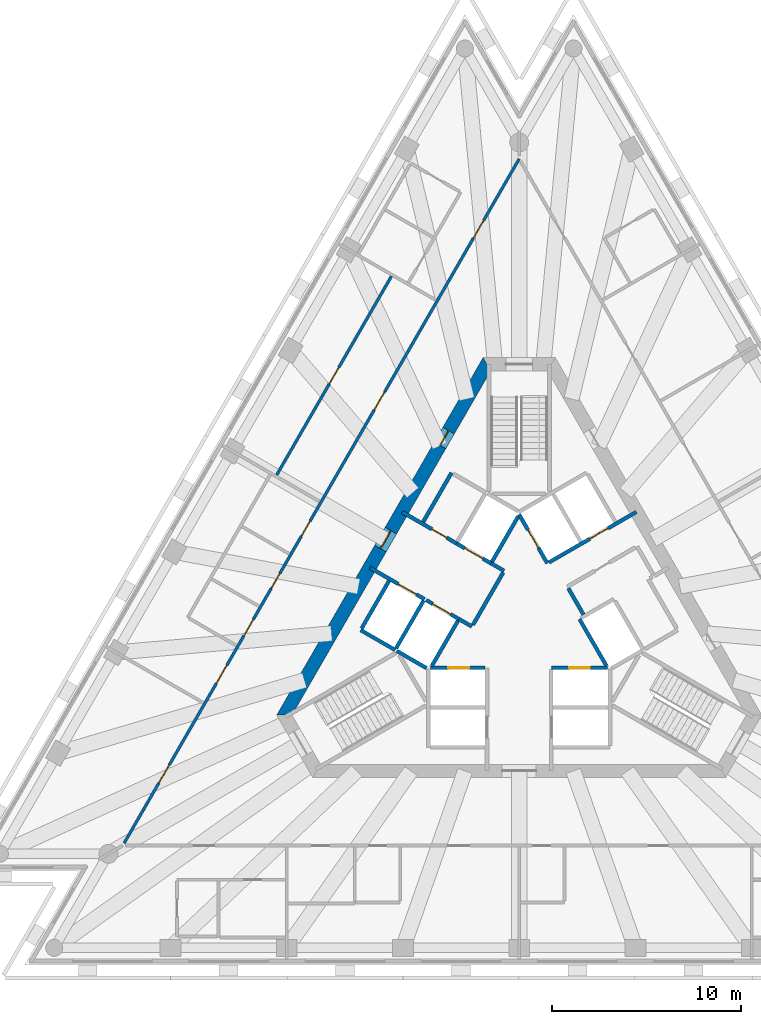
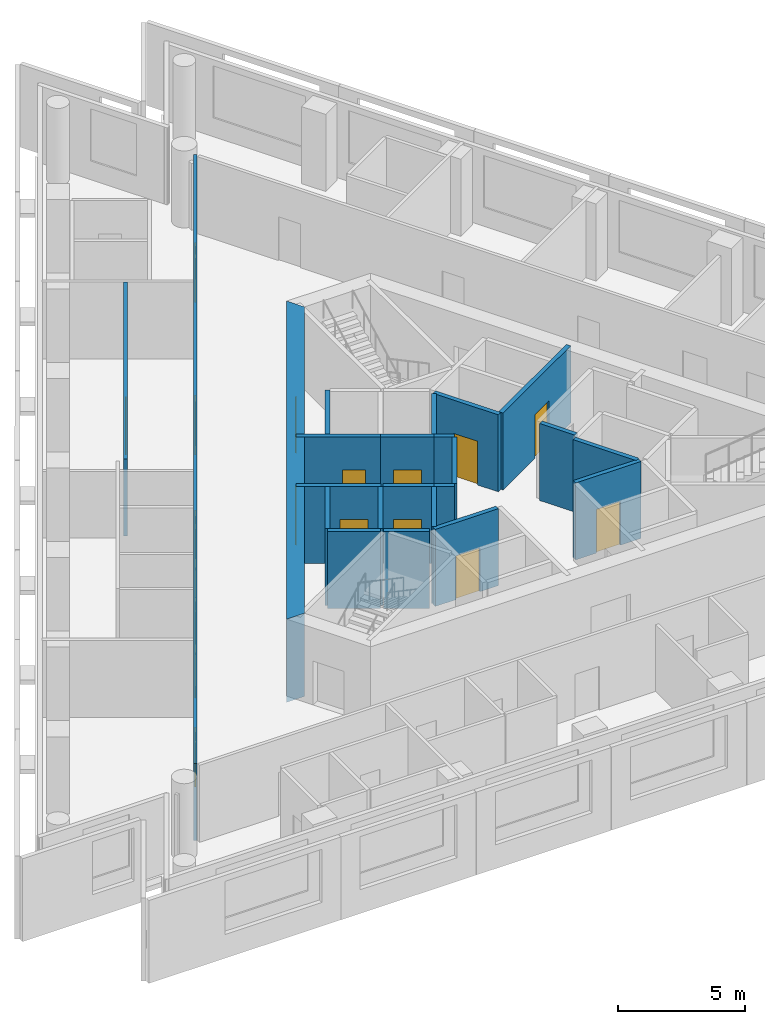
# One storey, part 4 of 9: 23 walls, 18 doors, 18 openings.
"""IFC4 building model written with IfcOpenShell, lengths in metres."""

import ifcopenshell
import ifcopenshell.guid

model = None  # the IFC model being written
_history = None  # IfcOwnerHistory: only IFC2X3 demands one
_inside = {}  # id of a spatial element -> (the spatial element, [elements in it])
_under = {}  # id of a project, library or spatial element -> (it, [spatial elements below it])
_declared = {}  # id of a project -> (the project, [libraries it declares])
_typed = {}  # id of a type object -> (the type object, [elements of that type])
_made_of = {}  # id of a material, layer set ... -> (it, [elements and type objects made of it])


def new_model(schema):
    """Start an empty IFC model of exactly this schema.

    Asked for "IFC4X3", IfcOpenShell would pick the latest addendum, in which some entities
    have other attributes; the version numbers below select the first issue.
    IFC2X3 requires an IfcOwnerHistory on every rooted entity: one is made here for all.
    """
    global model, _history
    if schema == "IFC4X3":
        model = ifcopenshell.file(schema_version=(4, 3, 0, 0))
    else:
        model = ifcopenshell.file(schema=schema)
    _inside.clear()
    _under.clear()
    _declared.clear()
    _typed.clear()
    _made_of.clear()
    _history = None
    if model.schema == "IFC2X3":
        org = make("IfcOrganization", Name="unknown")
        user = make(
            "IfcPersonAndOrganization",
            ThePerson=make("IfcPerson", FamilyName="unknown"),
            TheOrganization=org,
        )
        app = make(
            "IfcApplication",
            ApplicationDeveloper=org,
            Version="unknown",
            ApplicationFullName="unknown",
            ApplicationIdentifier="unknown",
        )
        _history = make(
            "IfcOwnerHistory",
            OwningUser=user,
            OwningApplication=app,
            ChangeAction="ADDED",
            CreationDate=0,
        )
    return model


def make(cls, **values):
    """One entity of the class cls with the attributes given. An attribute that is None is left unset."""
    return model.create_entity(
        cls, **{name: value for name, value in values.items() if value is not None}
    )


def rooted(cls, **values):
    """An entity with a GlobalId (a new one), such as an element, a storey or a relation."""
    return make(cls, GlobalId=ifcopenshell.guid.new(), OwnerHistory=_history, **values)


def si_unit(unit_type, name, prefix=None):
    """IfcSIUnit, for example si_unit("LENGTHUNIT", "METRE", prefix="MILLI")."""
    return make("IfcSIUnit", UnitType=unit_type, Prefix=prefix, Name=name)


def assignment(units):
    """IfcUnitAssignment: the units of a project."""
    return None if units is None else make("IfcUnitAssignment", Units=units)


def point(xyz):
    """IfcCartesianPoint."""
    return None if xyz is None else make("IfcCartesianPoint", Coordinates=xyz)


def direction(xyz):
    """IfcDirection."""
    return None if xyz is None else make("IfcDirection", DirectionRatios=xyz)


def frame(location, z_axis=None, x_axis=None):
    """IfcAxis2Placement3D, a coordinate frame: its origin and axes. An axis left out is left unset."""
    return make(
        "IfcAxis2Placement3D",
        Location=point(location),
        Axis=direction(z_axis),
        RefDirection=direction(x_axis),
    )


def frame_2d(location, x_axis=None):
    """IfcAxis2Placement2D, a coordinate frame in the plane: its origin and x axis."""
    return make(
        "IfcAxis2Placement2D", Location=point(location), RefDirection=direction(x_axis)
    )


def origin():
    """The frame at (0, 0, 0) with its axes left unset."""
    return frame((0.0, 0.0, 0.0))


def place(relative_to, where):
    """IfcLocalPlacement: puts the frame where relative to a parent placement (None: the world)."""
    return make(
        "IfcLocalPlacement", PlacementRelTo=relative_to, RelativePlacement=where
    )


def context(
    kind, dimensions, precision=None, world=None, true_north=None, identifier=None
):
    """IfcGeometricRepresentationContext, for example the 3D "Model" context."""
    return make(
        "IfcGeometricRepresentationContext",
        ContextIdentifier=identifier,
        ContextType=kind,
        CoordinateSpaceDimension=dimensions,
        Precision=precision,
        WorldCoordinateSystem=world,
        TrueNorth=true_north,
    )


def subcontext(parent, identifier, kind, view, scale=None):
    """IfcGeometricRepresentationSubContext, for example "Body" below "Model"."""
    return make(
        "IfcGeometricRepresentationSubContext",
        ContextIdentifier=identifier,
        ContextType=kind,
        ParentContext=parent,
        TargetScale=scale,
        TargetView=view,
    )


def project(units=None, contexts=None):
    """IfcProject with its units and contexts."""
    return rooted(
        "IfcProject",
        Name="project",
        RepresentationContexts=contexts,
        UnitsInContext=assignment(units),
    )


def spatial(cls, under=None, at=None, **own):
    """A site, building, storey or space (cls), placed at a placement, below another one or the project."""
    s = rooted(cls, ObjectPlacement=at, **own)
    if under is not None:
        _under.setdefault(under.id(), (under, []))[1].append(s)
    return s


def polyline(points):
    """IfcPolyline through the points."""
    return make("IfcPolyline", Points=[point(p) for p in points])


def profile(cls, at=None, kind="AREA", **sizes):
    """A parametric profile (cls). Its sizes go by their IFC names, for example OverallWidth=200.0."""
    return make(cls, ProfileType=kind, Position=at, **sizes)


def rectangle(**sizes):
    """IfcRectangleProfileDef."""
    return profile("IfcRectangleProfileDef", **sizes)


def outline(outer, holes=None, kind="AREA"):
    """IfcArbitraryClosedProfileDef: a profile drawn as a closed curve; with holes, ...WithVoids."""
    if holes is None:
        return make("IfcArbitraryClosedProfileDef", ProfileType=kind, OuterCurve=outer)
    return make(
        "IfcArbitraryProfileDefWithVoids",
        ProfileType=kind,
        OuterCurve=outer,
        InnerCurves=holes,
    )


def extrude(swept, where, along, depth):
    """IfcExtrudedAreaSolid: the profile swept, set in the frame where, extruded along a direction by depth."""
    return make(
        "IfcExtrudedAreaSolid",
        SweptArea=swept,
        Position=where,
        ExtrudedDirection=direction(along),
        Depth=depth,
    )


def shape(context_of_items, identifier, shape_type, items):
    """IfcShapeRepresentation: the items that make up one representation, for example the "Body"."""
    return make(
        "IfcShapeRepresentation",
        ContextOfItems=context_of_items,
        RepresentationIdentifier=identifier,
        RepresentationType=shape_type,
        Items=items,
    )


def material(Name=None, Category=None):
    """IfcMaterial."""
    return make("IfcMaterial", Name=Name, Category=Category)


def layer(
    of_material, thickness, ventilated=None, Name=None, Category=None, Priority=None
):
    """IfcMaterialLayer: one layer of a wall or slab, of a material (None: an air gap)."""
    return make(
        "IfcMaterialLayer",
        Material=of_material,
        LayerThickness=thickness,
        IsVentilated=ventilated,
        Name=Name,
        Category=Category,
        Priority=Priority,
    )


def layer_set(layers, Name=None):
    """IfcMaterialLayerSet."""
    return make("IfcMaterialLayerSet", MaterialLayers=layers, LayerSetName=Name)


def made_of(thing, what):
    """Note that an element or type object is made of a material, layer set ...; save() writes the relation."""
    if what is not None:
        _made_of.setdefault(what.id(), (what, []))[1].append(thing)
    return thing


def type_object(cls, material=None, **own):
    """A type object (cls), such as IfcWallType, which elements share."""
    return made_of(rooted(cls, **own), material)


def element(
    cls,
    number,
    at=None,
    inside=None,
    cuts=None,
    type_object=None,
    material=None,
    context=None,
    identifier="Body",
    shape_type=None,
    held_by="IfcProductDefinitionShape",
    body=None,
    shapes=None,
    **own,
):
    """One element of the class cls, such as IfcWall. Its Tag is "e" and its number.

    at: its placement. inside: the storey or other place that contains it. cuts: it is an
    opening in that element (IfcRelVoidsElement). A single representation is given by context,
    identifier, shape_type and body (its items); several are given by shapes. held_by: the class
    of the entity that holds the representations. save() writes the other relations.
    """
    e = rooted(cls, Tag="e%d" % number, ObjectPlacement=at, **own)
    if body is not None:
        shapes = [shape(context, identifier, shape_type, body)]
    if shapes is not None:
        e.Representation = make(held_by, Representations=shapes)
    if inside is not None:
        _inside.setdefault(inside.id(), (inside, []))[1].append(e)
    if cuts is not None:
        rooted(
            "IfcRelVoidsElement", RelatingBuildingElement=cuts, RelatedOpeningElement=e
        )
    if type_object is not None:
        _typed.setdefault(type_object.id(), (type_object, []))[1].append(e)
    return made_of(e, material)


def fill(opening, filler):
    """IfcRelFillsElement: the door or window that sits in an opening."""
    return rooted(
        "IfcRelFillsElement",
        RelatingOpeningElement=opening,
        RelatedBuildingElement=filler,
    )


def aggregate(whole, parts):
    """IfcRelAggregates: a whole, such as a stair, and the parts it consists of."""
    return rooted("IfcRelAggregates", RelatingObject=whole, RelatedObjects=parts)


def save(model, path):
    """Write the relations noted so far, then the file.

    IfcRelAggregates (storeys below a building ...), IfcRelContainedInSpatialStructure (elements
    in a storey), IfcRelDefinesByType, IfcRelAssociatesMaterial and IfcRelDeclares: one each for
    every whole, place, type object, material and project.
    """
    for whole, parts in _under.values():
        aggregate(whole, parts)
    for where, things in _inside.values():
        rooted(
            "IfcRelContainedInSpatialStructure",
            RelatedElements=things,
            RelatingStructure=where,
        )
    for kind, things in _typed.values():
        rooted("IfcRelDefinesByType", RelatedObjects=things, RelatingType=kind)
    for what, things in _made_of.values():
        rooted("IfcRelAssociatesMaterial", RelatedObjects=things, RelatingMaterial=what)
    for by, libraries in _declared.values():
        rooted("IfcRelDeclares", RelatingContext=by, RelatedDefinitions=libraries)
    model.write(path)


model = new_model("IFC4")

# Units and contexts
model_context = context("Model", 3, precision=1e-05, world=origin(), true_north=direction((0.0, 1.0)))
body_context = subcontext(model_context, "Body", "Model", "MODEL_VIEW")
ifc_project = project(units=[si_unit("LENGTHUNIT", "METRE"), si_unit("AREAUNIT", "SQUARE_METRE"), si_unit("VOLUMEUNIT", "CUBIC_METRE"), si_unit("PLANEANGLEUNIT", "RADIAN"), si_unit("MASSUNIT", "GRAM", prefix="KILO")], contexts=[model_context])

# Site, building, storey
site_placement = place(None, origin())
site = spatial("IfcSite", under=ifc_project, at=site_placement, CompositionType="ELEMENT")
building_placement = place(site_placement, origin())
building = spatial("IfcBuilding", under=site, at=building_placement, Name="Triada Interchange Tower", CompositionType="ELEMENT")
storey_placement = place(building_placement, frame((0.0, 0.0, 203.300048828125)))
storey = spatial("IfcBuildingStorey", under=building, at=storey_placement, Name="L47", CompositionType="ELEMENT", Elevation=203.300048828125)

# Walls
ifc_material_1 = material(Name="Concrete C30/37", Category="concrete")
ifc_layer_1 = layer(ifc_material_1, 0.199951171875)
ifc_layer_set_1 = layer_set([ifc_layer_1], Name="CORE WALL 200 EI 120")
wall_type_1 = type_object("IfcWallType", Name="CORE WALL 200 EI 120", PredefinedType="SOLIDWALL", material=ifc_layer_set_1)
wall_1_placement = place(storey_placement, frame((-8.3759765625, -0.70703125, 0.0), z_axis=(0.0, 0.0, 1.0), x_axis=(0.866067520717, -0.499927044236, 0.0)))
element("IfcWall", 1, at=wall_1_placement, inside=storey, type_object=wall_type_1, Name="Wall L47 53", PredefinedType="SOLIDWALL", context=body_context, shape_type="SweptSolid", body=[
    extrude(rectangle(XDim=2.100341796875, YDim=0.199951171875, at=frame_2d((1.05029296875, 0.0))), origin(), (0.0, 0.0, 1.0), 3.699951171875),
])
wall_2_placement = place(storey_placement, frame((-8.325927734375, -0.6201171875, 0.0), z_axis=(0.0, 0.0, 1.0), x_axis=(0.500023687443, 0.866011727401, 0.0)))
element("IfcWall", 2, at=wall_2_placement, inside=storey, type_object=wall_type_1, Name="Wall L47 54", PredefinedType="SOLIDWALL", context=body_context, shape_type="SweptSolid", body=[
    extrude(rectangle(XDim=2.899658203125, YDim=0.199951171875, at=frame_2d((1.44970703125, 0.0))), origin(), (0.0, 0.0, 1.0), 3.699951171875),
])

# Wall, opening, door
wall_3_placement = place(storey_placement, frame((-4.676025390625, -2.699951171875, 0.0), z_axis=(0.0, 0.0, 1.0), x_axis=(1.0, 0.0, 0.0)))
wall_3 = element("IfcWall", 3, at=wall_3_placement, inside=storey, type_object=wall_type_1, Name="Wall L47 61", PredefinedType="SOLIDWALL", context=body_context, shape_type="SweptSolid", body=[
    extrude(rectangle(XDim=2.873046875, YDim=0.199951171875, at=frame_2d((1.4365234375, 0.0))), origin(), (0.0, 0.0, 1.0), 3.699951171875),
])
opening_1_placement = place(wall_3_placement, frame((0.93701171875, 0.0, 0.0)))
opening_1 = element("IfcOpeningElement", 4, at=opening_1_placement, cuts=wall_3, Name="Opening LD-HR3", PredefinedType="OPENING", context=body_context, shape_type="SweptSolid", body=[
    extrude(rectangle(XDim=1.10009765625, YDim=2.10009765625, at=frame_2d((0.550048828125, 1.050048828125))), frame((0.0, 0.10986328125, 0.0), z_axis=(0.0, -1.0, 0.0), x_axis=(1.0, 0.0, 0.0)), (0.0, 0.0, 1.0), 0.219970703125),
])
ifc_material_2 = material(Name="Steel S235 door leaf", Category="steel")
door_type_1 = type_object("IfcDoorType", Name="LIFT LANDING DOOR 1100 EI 120", OperationType="SLIDING_TO_LEFT", PredefinedType="DOOR", material=ifc_material_2)
door_1_placement = place(opening_1_placement, origin())
door_1 = element("IfcDoor", 5, at=door_1_placement, inside=storey, type_object=door_type_1, Name="HR3 landing door L47", OperationType="SLIDING_TO_LEFT", OverallHeight=2.10009765625, OverallWidth=1.10009765625, PredefinedType="DOOR", context=body_context, shape_type="SweptSolid", body=[
    extrude(rectangle(XDim=1.10009765625, YDim=2.10009765625, at=frame_2d((0.550048828125, 1.050048828125))), frame((0.0, 0.02490234375, 0.0), z_axis=(0.0, -1.0, 0.0), x_axis=(1.0, 0.0, 0.0)), (0.0, 0.0, 1.0), 0.050048828125),
])
fill(opening_1, door_1)

wall_4_placement = place(storey_placement, frame((1.702880859375, -2.699951171875, 0.0), z_axis=(0.0, 0.0, 1.0), x_axis=(1.0, 0.0, 0.0)))
wall_4 = element("IfcWall", 6, at=wall_4_placement, inside=storey, type_object=wall_type_1, Name="Wall L47 62", PredefinedType="SOLIDWALL", context=body_context, shape_type="SweptSolid", body=[
    extrude(rectangle(XDim=2.97314453125, YDim=0.199951171875, at=frame_2d((1.486572265625, 0.0))), origin(), (0.0, 0.0, 1.0), 3.699951171875),
])
opening_2_placement = place(wall_4_placement, frame((0.93603515625, 0.0, 0.0)))
opening_2 = element("IfcOpeningElement", 7, at=opening_2_placement, cuts=wall_4, Name="Opening LD-HR1", PredefinedType="OPENING", context=body_context, shape_type="SweptSolid", body=[
    extrude(rectangle(XDim=1.10009765625, YDim=2.10009765625, at=frame_2d((0.550048828125, 1.050048828125))), frame((0.0, 0.10986328125, 0.0), z_axis=(0.0, -1.0, 0.0), x_axis=(1.0, 0.0, 0.0)), (0.0, 0.0, 1.0), 0.219970703125),
])
door_2_placement = place(opening_2_placement, origin())
door_2 = element("IfcDoor", 8, at=door_2_placement, inside=storey, type_object=door_type_1, Name="HR1 landing door L47", OperationType="SLIDING_TO_LEFT", OverallHeight=2.10009765625, OverallWidth=1.10009765625, PredefinedType="DOOR", context=body_context, shape_type="SweptSolid", body=[
    extrude(rectangle(XDim=1.10009765625, YDim=2.10009765625, at=frame_2d((0.550048828125, 1.050048828125))), frame((0.0, 0.02490234375, 0.0), z_axis=(0.0, -1.0, 0.0), x_axis=(1.0, 0.0, 0.0)), (0.0, 0.0, 1.0), 0.050048828125),
])
fill(opening_2, door_2)

wall_5_placement = place(storey_placement, frame((0.0, 5.39990234375, 0.0), z_axis=(0.0, 0.0, 1.0), x_axis=(0.500103862429, -0.865965430478, 0.0)))
wall_5 = element("IfcWall", 9, at=wall_5_placement, inside=storey, type_object=wall_type_1, Name="Wall L47 64", PredefinedType="SOLIDWALL", context=body_context, shape_type="SweptSolid", body=[
    extrude(rectangle(XDim=2.973388671875, YDim=0.199951171875, at=frame_2d((1.48681640625, 0.0))), origin(), (0.0, 0.0, 1.0), 3.699951171875),
])
opening_3_placement = place(wall_5_placement, frame((0.93701171875, 0.0, 0.0)))
opening_3 = element("IfcOpeningElement", 10, at=opening_3_placement, cuts=wall_5, Name="Opening LD-HR5", PredefinedType="OPENING", context=body_context, shape_type="SweptSolid", body=[
    extrude(rectangle(XDim=1.10009765625, YDim=2.10009765625, at=frame_2d((0.550048828125, 1.050048828125))), frame((0.0, 0.10986328125, 0.0), z_axis=(0.0, -1.0, 0.0), x_axis=(1.0, 0.0, 0.0)), (0.0, 0.0, 1.0), 0.219970703125),
])
door_3_placement = place(opening_3_placement, origin())
door_3 = element("IfcDoor", 11, at=door_3_placement, inside=storey, type_object=door_type_1, Name="HR5 landing door L47", OperationType="SLIDING_TO_LEFT", OverallHeight=2.10009765625, OverallWidth=1.10009765625, PredefinedType="DOOR", context=body_context, shape_type="SweptSolid", body=[
    extrude(rectangle(XDim=1.10009765625, YDim=2.10009765625, at=frame_2d((0.550048828125, 1.050048828125))), frame((0.0, 0.02490234375, 0.0), z_axis=(0.0, -1.0, 0.0), x_axis=(1.0, 0.0, 0.0)), (0.0, 0.0, 1.0), 0.050048828125),
])
fill(opening_3, door_3)

# Wall
wall_6_placement = place(storey_placement, frame((3.18994140625, -0.125, 0.0), z_axis=(0.0, 0.0, 1.0), x_axis=(0.499988658015, -0.866031951983, 0.0)))
element("IfcWall", 12, at=wall_6_placement, inside=storey, type_object=wall_type_1, Name="Wall L47 65", PredefinedType="SOLIDWALL", context=body_context, shape_type="SweptSolid", body=[
    extrude(rectangle(XDim=2.85791015625, YDim=0.199951171875, at=frame_2d((1.428955078125, 0.0))), origin(), (0.0, 0.0, 1.0), 3.699951171875),
])

# Wall, opening, door
wall_7_placement = place(storey_placement, frame((1.577880859375, 2.8740234375, 0.0), z_axis=(0.0, 0.0, 1.0), x_axis=(0.866045911672, 0.499964477614, 0.0)))
wall_7 = element("IfcWall", 13, at=wall_7_placement, inside=storey, type_object=wall_type_1, Name="Wall L47 66", PredefinedType="SOLIDWALL", context=body_context, shape_type="SweptSolid", body=[
    extrude(rectangle(XDim=5.32666015625, YDim=0.199951171875, at=frame_2d((2.663330078125, 0.0))), origin(), (0.0, 0.0, 1.0), 3.699951171875),
])
opening_4_placement = place(wall_7_placement, frame((2.49609375, 0.0, 0.0)))
opening_4 = element("IfcOpeningElement", 14, at=opening_4_placement, cuts=wall_7, Name="Opening LD-HR6", PredefinedType="OPENING", context=body_context, shape_type="SweptSolid", body=[
    extrude(rectangle(XDim=1.10009765625, YDim=2.10009765625, at=frame_2d((0.550048828125, 1.050048828125))), frame((0.0, 0.10986328125, 0.0), z_axis=(0.0, -1.0, 0.0), x_axis=(1.0, 0.0, 0.0)), (0.0, 0.0, 1.0), 0.219970703125),
])
door_4_placement = place(opening_4_placement, origin())
door_4 = element("IfcDoor", 15, at=door_4_placement, inside=storey, type_object=door_type_1, Name="HR6 landing door L47", OperationType="SLIDING_TO_LEFT", OverallHeight=2.10009765625, OverallWidth=1.10009765625, PredefinedType="DOOR", context=body_context, shape_type="SweptSolid", body=[
    extrude(rectangle(XDim=1.10009765625, YDim=2.10009765625, at=frame_2d((0.550048828125, 1.050048828125))), frame((0.0, 0.02490234375, 0.0), z_axis=(0.0, -1.0, 0.0), x_axis=(1.0, 0.0, 0.0)), (0.0, 0.0, 1.0), 0.050048828125),
])
fill(opening_4, door_4)

# Wall
wall_8_placement = place(storey_placement, frame((2.597900390625, 1.5, 0.0), z_axis=(0.0, 0.0, 1.0), x_axis=(0.499929347863, -0.866066190972, 0.0)))
element("IfcWall", 16, at=wall_8_placement, inside=storey, type_object=wall_type_1, Name="Wall L47 77", PredefinedType="SOLIDWALL", context=body_context, shape_type="SweptSolid", body=[
    extrude(rectangle(XDim=1.600341796875, YDim=0.199951171875, at=frame_2d((0.80029296875, 0.0))), origin(), (0.0, 0.0, 1.0), 3.699951171875),
])

# Wall, opening, door
ifc_layer_2 = layer(ifc_material_1, 0.199951171875)
ifc_layer_set_2 = layer_set([ifc_layer_2], Name="CORE WALL 200 EI 180")
wall_type_2 = type_object("IfcWallType", Name="CORE WALL 200 EI 180", PredefinedType="SOLIDWALL", material=ifc_layer_set_2)
wall_9_placement = place(storey_placement, frame((-7.89111328125, 2.593017578125, 0.0), z_axis=(0.0, 0.0, 1.0), x_axis=(0.866070917804, -0.499921159118, 0.0)))
wall_9 = element("IfcWall", 17, at=wall_9_placement, inside=storey, type_object=wall_type_2, Name="Wall L47 78", PredefinedType="SOLIDWALL", context=body_context, shape_type="SweptSolid", body=[
    extrude(rectangle(XDim=3.33251953125, YDim=0.199951171875, at=frame_2d((1.666259765625, 0.0))), origin(), (0.0, 0.0, 1.0), 3.699951171875),
])
opening_5_placement = place(wall_9_placement, frame((1.72998046875, 0.0, 0.0)))
opening_5 = element("IfcOpeningElement", 18, at=opening_5_placement, cuts=wall_9, Name="Opening LD-SV1", PredefinedType="OPENING", context=body_context, shape_type="SweptSolid", body=[
    extrude(rectangle(XDim=1.10009765625, YDim=2.10009765625, at=frame_2d((0.550048828125, 1.050048828125))), frame((0.0, 0.10986328125, 0.0), z_axis=(0.0, -1.0, 0.0), x_axis=(1.0, 0.0, 0.0)), (0.0, 0.0, 1.0), 0.219970703125),
])
door_5_placement = place(opening_5_placement, origin())
door_5 = element("IfcDoor", 19, at=door_5_placement, inside=storey, type_object=door_type_1, Name="SV1 landing door L47", OperationType="SLIDING_TO_LEFT", OverallHeight=2.10009765625, OverallWidth=1.10009765625, PredefinedType="DOOR", context=body_context, shape_type="SweptSolid", body=[
    extrude(rectangle(XDim=1.10009765625, YDim=2.10009765625, at=frame_2d((0.550048828125, 1.050048828125))), frame((0.0, 0.02490234375, 0.0), z_axis=(0.0, -1.0, 0.0), x_axis=(1.0, 0.0, 0.0)), (0.0, 0.0, 1.0), 0.050048828125),
])
fill(opening_5, door_5)

# Wall
wall_10_placement = place(storey_placement, frame((-3.18798828125, -0.1220703125, 0.0), z_axis=(0.0, 0.0, 1.0), x_axis=(0.865705793592, -0.50055317294, 0.0)))
element("IfcWall", 20, at=wall_10_placement, inside=storey, type_object=wall_type_2, Name="Wall L47 79", PredefinedType="SOLIDWALL", context=body_context, shape_type="SweptSolid", body=[
    extrude(rectangle(XDim=0.796875, YDim=0.199951171875, at=frame_2d((0.3984375, 0.0))), origin(), (0.0, 0.0, 1.0), 3.699951171875),
])

# Wall, opening, door
wall_11_placement = place(storey_placement, frame((-6.19091796875, 5.537109375, 0.0), z_axis=(0.0, 0.0, 1.0), x_axis=(0.866052607023, -0.499952879648, 0.0)))
wall_11 = element("IfcWall", 21, at=wall_11_placement, inside=storey, type_object=wall_type_2, Name="Wall L47 80", PredefinedType="SOLIDWALL", context=body_context, shape_type="SweptSolid", body=[
    extrude(rectangle(XDim=3.332275390625, YDim=0.199951171875, at=frame_2d((1.666015625, 0.0))), origin(), (0.0, 0.0, 1.0), 3.699951171875),
])
opening_6_placement = place(wall_11_placement, frame((1.830078125, 0.0, 0.0)))
opening_6 = element("IfcOpeningElement", 22, at=opening_6_placement, cuts=wall_11, Name="Opening D47-10", PredefinedType="OPENING", context=body_context, shape_type="SweptSolid", body=[
    extrude(rectangle(XDim=0.89990234375, YDim=2.10009765625, at=frame_2d((0.449951171875, 1.050048828125))), frame((0.0, 0.10986328125, 0.0), z_axis=(0.0, -1.0, 0.0), x_axis=(1.0, 0.0, 0.0)), (0.0, 0.0, 1.0), 0.219970703125),
])
door_type_2 = type_object("IfcDoorType", Name="SERVICE DOOR 900 EI2 90-C5S200", OperationType="NOTDEFINED", PredefinedType="DOOR", material=ifc_material_2)
door_6_placement = place(opening_6_placement, origin())
door_6 = element("IfcDoor", 23, at=door_6_placement, inside=storey, type_object=door_type_2, Name="Door D47-10 L47", OperationType="SINGLE_SWING_LEFT", OverallHeight=2.10009765625, OverallWidth=0.89990234375, PredefinedType="DOOR", context=body_context, shape_type="SweptSolid", body=[
    extrude(rectangle(XDim=0.89990234375, YDim=2.10009765625, at=frame_2d((0.449951171875, 1.050048828125))), frame((0.0, 0.02490234375, 0.0), z_axis=(0.0, -1.0, 0.0), x_axis=(1.0, 0.0, 0.0)), (0.0, 0.0, 1.0), 0.050048828125),
])
fill(opening_6, door_6)

# Walls
wall_12_placement = place(storey_placement, frame((-1.488037109375, 2.822021484375, 0.0), z_axis=(0.0, 0.0, 1.0), x_axis=(0.866236612152, -0.499633997809, 0.0)))
element("IfcWall", 24, at=wall_12_placement, inside=storey, type_object=wall_type_2, Name="Wall L47 81", PredefinedType="SOLIDWALL", context=body_context, shape_type="SweptSolid", body=[
    extrude(rectangle(XDim=0.79638671875, YDim=0.199951171875, at=frame_2d((0.398193359375, 0.0))), origin(), (0.0, 0.0, 1.0), 3.699951171875),
])
wall_13_placement = place(storey_placement, frame((-5.075927734375, 5.009033203125, 0.0), z_axis=(0.0, 0.0, 1.0), x_axis=(0.50002537861, 0.866010750942, 0.0)))
element("IfcWall", 25, at=wall_13_placement, inside=storey, type_object=wall_type_2, Name="Wall L47 82", PredefinedType="SOLIDWALL", context=body_context, shape_type="SweptSolid", body=[
    extrude(rectangle(XDim=2.999755859375, YDim=0.199951171875, at=frame_2d((1.5, 0.0))), origin(), (0.0, 0.0, 1.0), 3.699951171875),
])
wall_14_placement = place(storey_placement, frame((-2.444091796875, -0.43310546875, 0.0), z_axis=(0.0, 0.0, 1.0), x_axis=(0.500035624827, 0.866004834804, 0.0)))
element("IfcWall", 26, at=wall_14_placement, inside=storey, type_object=wall_type_2, Name="Wall L47 84", PredefinedType="SOLIDWALL", context=body_context, shape_type="SweptSolid", body=[
    extrude(rectangle(XDim=3.194091796875, YDim=0.199951171875, at=frame_2d((1.59716796875, 0.0))), origin(), (0.0, 0.0, 1.0), 3.699951171875),
])
wall_15_placement = place(storey_placement, frame((-6.507080078125, -1.669921875, 0.0), z_axis=(0.0, 0.0, 1.0), x_axis=(0.50012328804, 0.865954211699, 0.0)))
element("IfcWall", 27, at=wall_15_placement, inside=storey, type_object=wall_type_2, Name="Shaft wall FF1 L47 85", PredefinedType="SOLIDWALL", context=body_context, shape_type="SweptSolid", body=[
    extrude(rectangle(XDim=2.899658203125, YDim=0.199951171875, at=frame_2d((1.44970703125, 0.0))), origin(), (0.0, 0.0, 1.0), 3.699951171875),
])
wall_16_placement = place(storey_placement, frame((-6.469970703125, -1.806884765625, 0.0), z_axis=(0.0, 0.0, 1.0), x_axis=(0.865883195159, -0.500246231712, 0.0)))
element("IfcWall", 28, at=wall_16_placement, inside=storey, type_object=wall_type_2, Name="Shaft wall FF1 L47 86", PredefinedType="SOLIDWALL", context=body_context, shape_type="SweptSolid", body=[
    extrude(rectangle(XDim=1.8154296875, YDim=0.199951171875, at=frame_2d((0.90771484375, 0.0))), origin(), (0.0, 0.0, 1.0), 3.699951171875),
])

# Wall, opening, door
wall_17_placement = place(storey_placement, frame((-4.922119140625, 0.87890625, 0.0), z_axis=(0.0, 0.0, 1.0), x_axis=(0.866073918653, -0.499915960366, 0.0)))
wall_17 = element("IfcWall", 29, at=wall_17_placement, inside=storey, type_object=wall_type_2, Name="Shaft wall FF1 L47 87", PredefinedType="SOLIDWALL", context=body_context, shape_type="SweptSolid", body=[
    extrude(rectangle(XDim=2.002197265625, YDim=0.199951171875, at=frame_2d((1.0009765625, 0.0))), origin(), (0.0, 0.0, 1.0), 3.699951171875),
])
opening_7_placement = place(wall_17_placement, frame((0.402099609375, 0.0, 0.0)))
opening_7 = element("IfcOpeningElement", 30, at=opening_7_placement, cuts=wall_17, Name="Opening LD-FF1", PredefinedType="OPENING", context=body_context, shape_type="SweptSolid", body=[
    extrude(rectangle(XDim=1.10009765625, YDim=2.10009765625, at=frame_2d((0.550048828125, 1.050048828125))), frame((0.0, 0.10986328125, 0.0), z_axis=(0.0, -1.0, 0.0), x_axis=(1.0, 0.0, 0.0)), (0.0, 0.0, 1.0), 0.219970703125),
])
door_7_placement = place(opening_7_placement, origin())
door_7 = element("IfcDoor", 31, at=door_7_placement, inside=storey, type_object=door_type_1, Name="FF1 landing door L47", OperationType="SLIDING_TO_LEFT", OverallHeight=2.10009765625, OverallWidth=1.10009765625, PredefinedType="DOOR", context=body_context, shape_type="SweptSolid", body=[
    extrude(rectangle(XDim=1.10009765625, YDim=2.10009765625, at=frame_2d((0.550048828125, 1.050048828125))), frame((0.0, 0.02490234375, 0.0), z_axis=(0.0, -1.0, 0.0), x_axis=(1.0, 0.0, 0.0)), (0.0, 0.0, 1.0), 0.050048828125),
])
fill(opening_7, door_7)

# Wall
wall_18_placement = place(storey_placement, frame((-4.618896484375, -2.60009765625, 0.0), z_axis=(0.0, 0.0, 1.0), x_axis=(0.50009492287, 0.865970593103, 0.0)))
element("IfcWall", 32, at=wall_18_placement, inside=storey, type_object=wall_type_2, Name="Shaft wall FF1 L47 88", PredefinedType="SOLIDWALL", context=body_context, shape_type="SweptSolid", body=[
    extrude(rectangle(XDim=2.76123046875, YDim=0.199951171875, at=frame_2d((1.380615234375, 0.0))), origin(), (0.0, 0.0, 1.0), 3.699951171875),
])

# Wall, opening, door
wall_19_placement = place(storey_placement, frame((-3.30908203125, 3.873046875, 0.0), z_axis=(0.0, 0.0, 1.0), x_axis=(0.866098583652, -0.499873227325, 0.0)))
wall_19 = element("IfcWall", 33, at=wall_19_placement, inside=storey, type_object=wall_type_2, Name="Shaft wall FF2 L47 89", PredefinedType="SOLIDWALL", context=body_context, shape_type="SweptSolid", body=[
    extrude(rectangle(XDim=2.1025390625, YDim=0.199951171875, at=frame_2d((1.05126953125, 0.0))), origin(), (0.0, 0.0, 1.0), 3.699951171875),
])
opening_8_placement = place(wall_19_placement, frame((0.501953125, 0.0, 0.0)))
opening_8 = element("IfcOpeningElement", 34, at=opening_8_placement, cuts=wall_19, Name="Opening LD-FF2", PredefinedType="OPENING", context=body_context, shape_type="SweptSolid", body=[
    extrude(rectangle(XDim=1.10009765625, YDim=2.10009765625, at=frame_2d((0.550048828125, 1.050048828125))), frame((0.0, 0.10986328125, 0.0), z_axis=(0.0, -1.0, 0.0), x_axis=(1.0, 0.0, 0.0)), (0.0, 0.0, 1.0), 0.219970703125),
])
door_8_placement = place(opening_8_placement, origin())
door_8 = element("IfcDoor", 35, at=door_8_placement, inside=storey, type_object=door_type_1, Name="FF2 landing door L47", OperationType="SLIDING_TO_LEFT", OverallHeight=2.10009765625, OverallWidth=1.10009765625, PredefinedType="DOOR", context=body_context, shape_type="SweptSolid", body=[
    extrude(rectangle(XDim=1.10009765625, YDim=2.10009765625, at=frame_2d((0.550048828125, 1.050048828125))), frame((0.0, 0.02490234375, 0.0), z_axis=(0.0, -1.0, 0.0), x_axis=(1.0, 0.0, 0.0)), (0.0, 0.0, 1.0), 0.050048828125),
])
fill(opening_8, door_8)

# Wall
wall_20_placement = place(storey_placement, frame((-1.43798828125, 2.908935546875, 0.0), z_axis=(0.0, 0.0, 1.0), x_axis=(0.499829630636, 0.866123744241, 0.0)))
element("IfcWall", 36, at=wall_20_placement, inside=storey, type_object=wall_type_2, Name="Shaft wall FF2 L47 92", PredefinedType="SOLIDWALL", context=body_context, shape_type="SweptSolid", body=[
    extrude(rectangle(XDim=2.7607421875, YDim=0.199951171875, at=frame_2d((1.38037109375, 0.0))), origin(), (0.0, 0.0, 1.0), 3.699951171875),
])

# Wall, openings, doors
ifc_material_3 = material(Name="Concrete C50/60", Category="concrete")
ifc_layer_3 = layer(ifc_material_3, 0.699951171875)
ifc_layer_set_3 = layer_set([ifc_layer_3], Name="Core wall C 700")
wall_type_3 = type_object("IfcWallType", Name="Core wall C 700", PredefinedType="SHEAR", material=ifc_layer_set_3)
wall_21_placement = place(storey_placement, frame((-1.702880859375, 13.35009765625, -0.300048828125), z_axis=(0.0, 0.0, 1.0), x_axis=(-0.500011533395, -0.866018744874, 0.0)))
wall_21 = element("IfcWall", 37, at=wall_21_placement, inside=storey, type_object=wall_type_3, Name="Core wall WC02 L47", PredefinedType="SHEAR", context=body_context, shape_type="SweptSolid", body=[
    extrude(outline(polyline([(-0.201904296875, -0.35009765625), (1.781982421875, -0.35009765625), (3.76611328125, -0.35009765625), (5.75, -0.35009765625), (7.734130859375, -0.35009765625), (9.718017578125, -0.35009765625), (11.7021484375, -0.35009765625), (13.68603515625, -0.35009765625), (15.670166015625, -0.35009765625), (17.654052734375, -0.35009765625), (19.63818359375, -0.35009765625), (21.6220703125, -0.35009765625), (21.218017578125, 0.35009765625), (19.307373046875, 0.35009765625), (17.39697265625, 0.35009765625), (15.486328125, 0.35009765625), (13.57568359375, 0.35009765625), (11.665283203125, 0.35009765625), (9.754638671875, 0.35009765625), (7.84423828125, 0.35009765625), (5.93359375, 0.35009765625), (4.02294921875, 0.35009765625), (2.112548828125, 0.35009765625), (0.201904296875, 0.35009765625), (-0.201904296875, -0.35009765625)])), origin(), (0.0, 0.0, 1.0), 4.0),
])
opening_9_placement = place(wall_21_placement, frame((10.159912109375, 0.0, 0.300048828125)))
opening_9 = element("IfcOpeningElement", 38, at=opening_9_placement, cuts=wall_21, Name="Opening D47-47", PredefinedType="OPENING", context=body_context, shape_type="SweptSolid", body=[
    extrude(rectangle(XDim=1.10009765625, YDim=2.10009765625, at=frame_2d((0.550048828125, 1.050048828125))), frame((0.0, 0.360107421875, 0.0), z_axis=(0.0, -1.0, 0.0), x_axis=(1.0, 0.0, 0.0)), (0.0, 0.0, 1.0), 0.72021484375),
])
opening_10_placement = place(wall_21_placement, frame((4.054931640625, 0.0, 0.300048828125)))
opening_10 = element("IfcOpeningElement", 39, at=opening_10_placement, cuts=wall_21, Name="Opening D47-49", PredefinedType="OPENING", context=body_context, shape_type="SweptSolid", body=[
    extrude(rectangle(XDim=0.89990234375, YDim=2.10009765625, at=frame_2d((0.449951171875, 1.050048828125))), frame((0.0, 0.360107421875, 0.0), z_axis=(0.0, -1.0, 0.0), x_axis=(1.0, 0.0, 0.0)), (0.0, 0.0, 1.0), 0.72021484375),
])
door_type_3 = type_object("IfcDoorType", Name="FIRE LOBBY DOOR 1100 EI2 90-C5S200", OperationType="NOTDEFINED", PredefinedType="DOOR", material=ifc_material_2)
door_9_placement = place(opening_9_placement, origin())
door_9 = element("IfcDoor", 40, at=door_9_placement, inside=storey, type_object=door_type_3, Name="Door D47-47 L47", OperationType="SINGLE_SWING_RIGHT", OverallHeight=2.10009765625, OverallWidth=1.10009765625, PredefinedType="DOOR", context=body_context, shape_type="SweptSolid", body=[
    extrude(rectangle(XDim=1.10009765625, YDim=2.10009765625, at=frame_2d((0.550048828125, 1.050048828125))), frame((0.0, 0.02490234375, 0.0), z_axis=(0.0, -1.0, 0.0), x_axis=(1.0, 0.0, 0.0)), (0.0, 0.0, 1.0), 0.050048828125),
])
fill(opening_9, door_9)
door_type_4 = type_object("IfcDoorType", Name="SERVICE DOOR 900 EI2 45-C5S200", OperationType="NOTDEFINED", PredefinedType="DOOR", material=ifc_material_2)
door_10_placement = place(opening_10_placement, origin())
door_10 = element("IfcDoor", 41, at=door_10_placement, inside=storey, type_object=door_type_4, Name="Door D47-49 L47", OperationType="SINGLE_SWING_RIGHT", OverallHeight=2.10009765625, OverallWidth=0.89990234375, PredefinedType="DOOR", context=body_context, shape_type="SweptSolid", body=[
    extrude(rectangle(XDim=0.89990234375, YDim=2.10009765625, at=frame_2d((0.449951171875, 1.050048828125))), frame((0.0, 0.02490234375, 0.0), z_axis=(0.0, -1.0, 0.0), x_axis=(1.0, 0.0, 0.0)), (0.0, 0.0, 1.0), 0.050048828125),
])
fill(opening_10, door_10)

ifc_material_4 = material(Name="Gypsum board partition")
ifc_layer_4 = layer(ifc_material_4, 0.14990234375)
ifc_layer_set_4 = layer_set([ifc_layer_4], Name="PARTITION 150 EI 180")
wall_type_4 = type_object("IfcWallType", Name="PARTITION 150 EI 180", PredefinedType="PARTITIONING", material=ifc_layer_set_4)
wall_22_placement = place(storey_placement, frame((-20.883056640625, -11.969970703125, 0.0), z_axis=(0.0, 0.0, 1.0), x_axis=(0.500006150555, 0.866021852731, 0.0)))
wall_22 = element("IfcWall", 42, at=wall_22_placement, inside=storey, type_object=wall_type_4, Name="Wall L47 4", PredefinedType="PARTITIONING", context=body_context, shape_type="SweptSolid", body=[
    extrude(rectangle(XDim=41.765625, YDim=0.14990234375, at=frame_2d((20.8828125, 0.0))), origin(), (0.0, 0.0, 1.0), 3.699951171875),
])
opening_11_placement = place(wall_22_placement, frame((36.916015625, 0.0, 0.0)))
opening_11 = element("IfcOpeningElement", 43, at=opening_11_placement, cuts=wall_22, Name="Opening D47-33", PredefinedType="OPENING", context=body_context, shape_type="SweptSolid", body=[
    extrude(rectangle(XDim=1.10009765625, YDim=2.10009765625, at=frame_2d((0.550048828125, 1.050048828125))), frame((0.0, 0.0849609375, 0.0), z_axis=(0.0, -1.0, 0.0), x_axis=(1.0, 0.0, 0.0)), (0.0, 0.0, 1.0), 0.169921875),
])
opening_12_placement = place(wall_22_placement, frame((26.446044921875, 0.0, 0.0)))
opening_12 = element("IfcOpeningElement", 44, at=opening_12_placement, cuts=wall_22, Name="Opening D47-36", PredefinedType="OPENING", context=body_context, shape_type="SweptSolid", body=[
    extrude(rectangle(XDim=1.10009765625, YDim=2.10009765625, at=frame_2d((0.550048828125, 1.050048828125))), frame((0.0, 0.0849609375, 0.0), z_axis=(0.0, -1.0, 0.0), x_axis=(1.0, 0.0, 0.0)), (0.0, 0.0, 1.0), 0.169921875),
])
opening_13_placement = place(wall_22_placement, frame((9.757080078125, 0.0, 0.0)))
opening_13 = element("IfcOpeningElement", 45, at=opening_13_placement, cuts=wall_22, Name="Opening D47-38", PredefinedType="OPENING", context=body_context, shape_type="SweptSolid", body=[
    extrude(rectangle(XDim=1.10009765625, YDim=2.10009765625, at=frame_2d((0.550048828125, 1.050048828125))), frame((0.0, 0.0849609375, 0.0), z_axis=(0.0, -1.0, 0.0), x_axis=(1.0, 0.0, 0.0)), (0.0, 0.0, 1.0), 0.169921875),
])
opening_14_placement = place(wall_22_placement, frame((18.757080078125, 0.0, 0.0)))
opening_14 = element("IfcOpeningElement", 46, at=opening_14_placement, cuts=wall_22, Name="Opening D47-39", PredefinedType="OPENING", context=body_context, shape_type="SweptSolid", body=[
    extrude(rectangle(XDim=0.89990234375, YDim=2.10009765625, at=frame_2d((0.449951171875, 1.050048828125))), frame((0.0, 0.0849609375, 0.0), z_axis=(0.0, -1.0, 0.0), x_axis=(1.0, 0.0, 0.0)), (0.0, 0.0, 1.0), 0.169921875),
])
opening_15_placement = place(wall_22_placement, frame((15.556884765625, 0.0, 0.0)))
opening_15 = element("IfcOpeningElement", 47, at=opening_15_placement, cuts=wall_22, Name="Opening D47-40", PredefinedType="OPENING", context=body_context, shape_type="SweptSolid", body=[
    extrude(rectangle(XDim=0.89990234375, YDim=2.10009765625, at=frame_2d((0.449951171875, 1.050048828125))), frame((0.0, 0.0849609375, 0.0), z_axis=(0.0, -1.0, 0.0), x_axis=(1.0, 0.0, 0.0)), (0.0, 0.0, 1.0), 0.169921875),
])
opening_16_placement = place(wall_22_placement, frame((12.656982421875, 0.0, 0.0)))
opening_16 = element("IfcOpeningElement", 48, at=opening_16_placement, cuts=wall_22, Name="Opening D47-41", PredefinedType="OPENING", context=body_context, shape_type="SweptSolid", body=[
    extrude(rectangle(XDim=1.0, YDim=2.10009765625, at=frame_2d((0.5, 1.050048828125))), frame((0.0, 0.0849609375, 0.0), z_axis=(0.0, -1.0, 0.0), x_axis=(1.0, 0.0, 0.0)), (0.0, 0.0, 1.0), 0.169921875),
])
opening_17_placement = place(wall_22_placement, frame((3.6689453125, 0.0, 0.0)))
opening_17 = element("IfcOpeningElement", 49, at=opening_17_placement, cuts=wall_22, Name="Opening D47-42", PredefinedType="OPENING", context=body_context, shape_type="SweptSolid", body=[
    extrude(rectangle(XDim=1.10009765625, YDim=2.10009765625, at=frame_2d((0.550048828125, 1.050048828125))), frame((0.0, 0.0849609375, 0.0), z_axis=(0.0, -1.0, 0.0), x_axis=(1.0, 0.0, 0.0)), (0.0, 0.0, 1.0), 0.169921875),
])
door_type_5 = type_object("IfcDoorType", Name="ROOM DOOR 1000 EI2 90-C5S200", OperationType="NOTDEFINED", PredefinedType="DOOR", material=ifc_material_2)
door_11_placement = place(opening_16_placement, origin())
door_11 = element("IfcDoor", 50, at=door_11_placement, inside=storey, type_object=door_type_5, Name="Door D47-41 L47", OperationType="SINGLE_SWING_RIGHT", OverallHeight=2.10009765625, OverallWidth=1.0, PredefinedType="DOOR", context=body_context, shape_type="SweptSolid", body=[
    extrude(rectangle(XDim=1.0, YDim=2.10009765625, at=frame_2d((0.5, 1.050048828125))), frame((0.0, 0.02490234375, 0.0), z_axis=(0.0, -1.0, 0.0), x_axis=(1.0, 0.0, 0.0)), (0.0, 0.0, 1.0), 0.050048828125),
])
fill(opening_16, door_11)
door_type_6 = type_object("IfcDoorType", Name="ROOM DOOR 900 EI2 90-C5S200", OperationType="NOTDEFINED", PredefinedType="DOOR", material=ifc_material_2)
door_12_placement = place(opening_14_placement, origin())
door_12 = element("IfcDoor", 51, at=door_12_placement, inside=storey, type_object=door_type_6, Name="Door D47-39 L47", OperationType="SINGLE_SWING_LEFT", OverallHeight=2.10009765625, OverallWidth=0.89990234375, PredefinedType="DOOR", context=body_context, shape_type="SweptSolid", body=[
    extrude(rectangle(XDim=0.89990234375, YDim=2.10009765625, at=frame_2d((0.449951171875, 1.050048828125))), frame((0.0, 0.02490234375, 0.0), z_axis=(0.0, -1.0, 0.0), x_axis=(1.0, 0.0, 0.0)), (0.0, 0.0, 1.0), 0.050048828125),
])
fill(opening_14, door_12)
door_13_placement = place(opening_15_placement, origin())
door_13 = element("IfcDoor", 52, at=door_13_placement, inside=storey, type_object=door_type_6, Name="Door D47-40 L47", OperationType="SINGLE_SWING_RIGHT", OverallHeight=2.10009765625, OverallWidth=0.89990234375, PredefinedType="DOOR", context=body_context, shape_type="SweptSolid", body=[
    extrude(rectangle(XDim=0.89990234375, YDim=2.10009765625, at=frame_2d((0.449951171875, 1.050048828125))), frame((0.0, 0.02490234375, 0.0), z_axis=(0.0, -1.0, 0.0), x_axis=(1.0, 0.0, 0.0)), (0.0, 0.0, 1.0), 0.050048828125),
])
fill(opening_15, door_13)
door_type_7 = type_object("IfcDoorType", Name="TENANCY ENTRANCE DOOR 1100 EI2 90-C5S200", OperationType="NOTDEFINED", PredefinedType="DOOR", material=ifc_material_2)
door_14_placement = place(opening_11_placement, origin())
door_14 = element("IfcDoor", 53, at=door_14_placement, inside=storey, type_object=door_type_7, Name="Door D47-33 L47", OperationType="SINGLE_SWING_RIGHT", OverallHeight=2.10009765625, OverallWidth=1.10009765625, PredefinedType="DOOR", context=body_context, shape_type="SweptSolid", body=[
    extrude(rectangle(XDim=1.10009765625, YDim=2.10009765625, at=frame_2d((0.550048828125, 1.050048828125))), frame((0.0, 0.02490234375, 0.0), z_axis=(0.0, -1.0, 0.0), x_axis=(1.0, 0.0, 0.0)), (0.0, 0.0, 1.0), 0.050048828125),
])
fill(opening_11, door_14)
door_15_placement = place(opening_12_placement, origin())
door_15 = element("IfcDoor", 54, at=door_15_placement, inside=storey, type_object=door_type_7, Name="Door D47-36 L47", OperationType="SINGLE_SWING_LEFT", OverallHeight=2.10009765625, OverallWidth=1.10009765625, PredefinedType="DOOR", context=body_context, shape_type="SweptSolid", body=[
    extrude(rectangle(XDim=1.10009765625, YDim=2.10009765625, at=frame_2d((0.550048828125, 1.050048828125))), frame((0.0, 0.02490234375, 0.0), z_axis=(0.0, -1.0, 0.0), x_axis=(1.0, 0.0, 0.0)), (0.0, 0.0, 1.0), 0.050048828125),
])
fill(opening_12, door_15)
door_16_placement = place(opening_13_placement, origin())
door_16 = element("IfcDoor", 55, at=door_16_placement, inside=storey, type_object=door_type_7, Name="Door D47-38 L47", OperationType="SINGLE_SWING_LEFT", OverallHeight=2.10009765625, OverallWidth=1.10009765625, PredefinedType="DOOR", context=body_context, shape_type="SweptSolid", body=[
    extrude(rectangle(XDim=1.10009765625, YDim=2.10009765625, at=frame_2d((0.550048828125, 1.050048828125))), frame((0.0, 0.02490234375, 0.0), z_axis=(0.0, -1.0, 0.0), x_axis=(1.0, 0.0, 0.0)), (0.0, 0.0, 1.0), 0.050048828125),
])
fill(opening_13, door_16)
door_17_placement = place(opening_17_placement, origin())
door_17 = element("IfcDoor", 56, at=door_17_placement, inside=storey, type_object=door_type_7, Name="Door D47-42 L47", OperationType="SINGLE_SWING_LEFT", OverallHeight=2.10009765625, OverallWidth=1.10009765625, PredefinedType="DOOR", context=body_context, shape_type="SweptSolid", body=[
    extrude(rectangle(XDim=1.10009765625, YDim=2.10009765625, at=frame_2d((0.550048828125, 1.050048828125))), frame((0.0, 0.02490234375, 0.0), z_axis=(0.0, -1.0, 0.0), x_axis=(1.0, 0.0, 0.0)), (0.0, 0.0, 1.0), 0.050048828125),
])
fill(opening_17, door_17)

# Wall, opening, door
ifc_layer_5 = layer(ifc_material_4, 0.14990234375)
ifc_layer_set_5 = layer_set([ifc_layer_5], Name="PARTITION 150 EI 90")
wall_type_5 = type_object("IfcWallType", Name="PARTITION 150 EI 90", PredefinedType="PARTITIONING", material=ifc_layer_set_5)
wall_23_placement = place(storey_placement, frame((-12.820068359375, 7.488037109375, 0.0), z_axis=(0.0, 0.0, 1.0), x_axis=(0.500060781096, 0.865990308958, 0.0)))
wall_23 = element("IfcWall", 57, at=wall_23_placement, inside=storey, type_object=wall_type_5, Name="Wall L47 38", PredefinedType="PARTITIONING", context=body_context, shape_type="SweptSolid", body=[
    extrude(rectangle(XDim=12.138671875, YDim=0.14990234375, at=frame_2d((6.0693359375, 0.0))), origin(), (0.0, 0.0, 1.0), 3.699951171875),
])
opening_18_placement = place(wall_23_placement, frame((5.56396484375, 0.0, 0.0)))
opening_18 = element("IfcOpeningElement", 58, at=opening_18_placement, cuts=wall_23, Name="Opening D47-37", PredefinedType="OPENING", context=body_context, shape_type="SweptSolid", body=[
    extrude(rectangle(XDim=1.0, YDim=2.10009765625, at=frame_2d((0.5, 1.050048828125))), frame((0.0, 0.0849609375, 0.0), z_axis=(0.0, -1.0, 0.0), x_axis=(1.0, 0.0, 0.0)), (0.0, 0.0, 1.0), 0.169921875),
])
door_type_8 = type_object("IfcDoorType", Name="ROOM DOOR 1000 EI2 45-C5S200", OperationType="NOTDEFINED", PredefinedType="DOOR", material=ifc_material_2)
door_18_placement = place(opening_18_placement, origin())
door_18 = element("IfcDoor", 59, at=door_18_placement, inside=storey, type_object=door_type_8, Name="Door D47-37 L47", OperationType="SINGLE_SWING_RIGHT", OverallHeight=2.10009765625, OverallWidth=1.0, PredefinedType="DOOR", context=body_context, shape_type="SweptSolid", body=[
    extrude(rectangle(XDim=1.0, YDim=2.10009765625, at=frame_2d((0.5, 1.050048828125))), frame((0.0, 0.02490234375, 0.0), z_axis=(0.0, -1.0, 0.0), x_axis=(1.0, 0.0, 0.0)), (0.0, 0.0, 1.0), 0.050048828125),
])
fill(opening_18, door_18)

save(model, "model.ifc")
